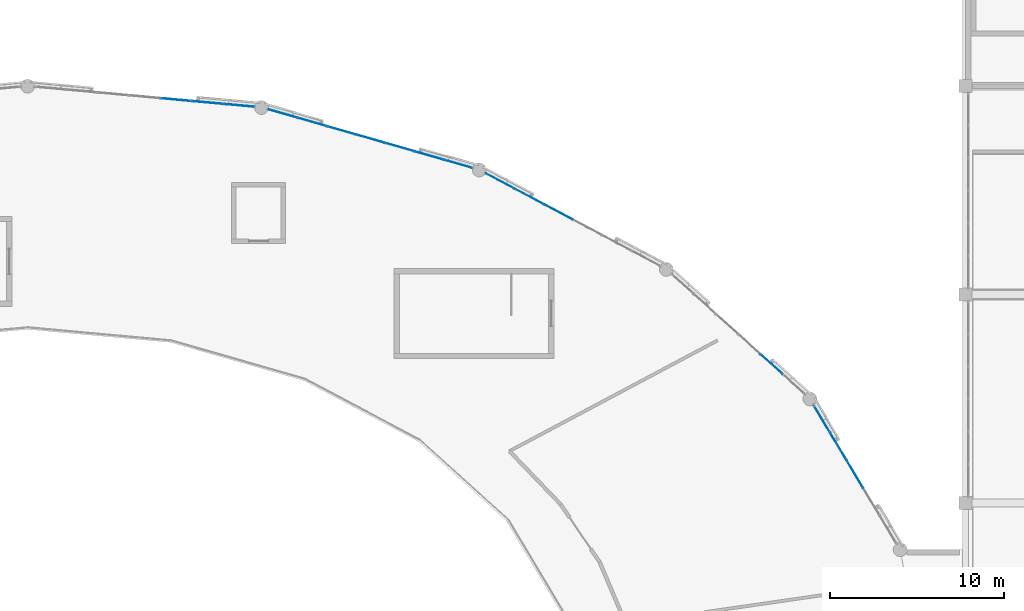
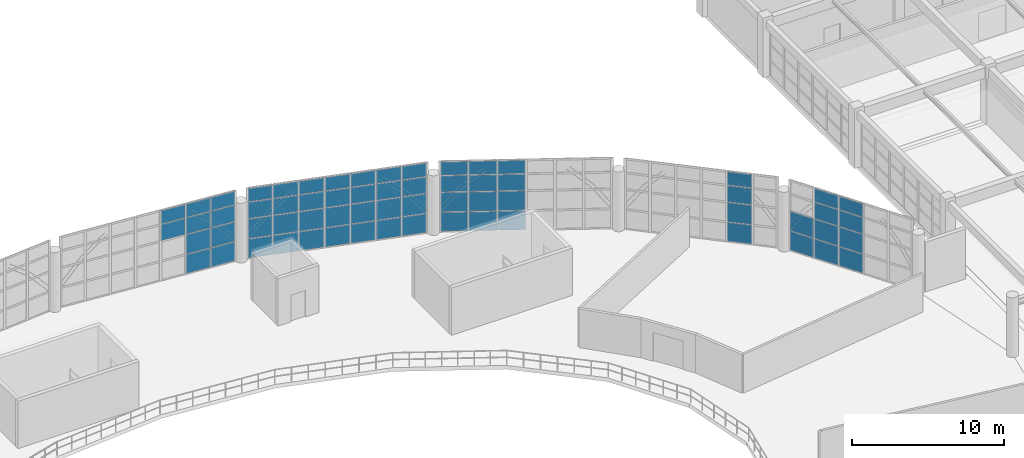
# One storey, part 72 of 109: 64 plates, 5 elements without a shape of their own.
"""IFC4 building model written with IfcOpenShell, lengths in metres."""

import ifcopenshell
import ifcopenshell.guid

model = None  # the IFC model being written
_history = None  # IfcOwnerHistory: only IFC2X3 demands one
_inside = {}  # id of a spatial element -> (the spatial element, [elements in it])
_under = {}  # id of a project, library or spatial element -> (it, [spatial elements below it])
_declared = {}  # id of a project -> (the project, [libraries it declares])
_typed = {}  # id of a type object -> (the type object, [elements of that type])
_made_of = {}  # id of a material, layer set ... -> (it, [elements and type objects made of it])


def new_model(schema):
    """Start an empty IFC model of exactly this schema.

    Asked for "IFC4X3", IfcOpenShell would pick the latest addendum, in which some entities
    have other attributes; the version numbers below select the first issue.
    IFC2X3 requires an IfcOwnerHistory on every rooted entity: one is made here for all.
    """
    global model, _history
    if schema == "IFC4X3":
        model = ifcopenshell.file(schema_version=(4, 3, 0, 0))
    else:
        model = ifcopenshell.file(schema=schema)
    _inside.clear()
    _under.clear()
    _declared.clear()
    _typed.clear()
    _made_of.clear()
    _history = None
    if model.schema == "IFC2X3":
        org = make("IfcOrganization", Name="unknown")
        user = make(
            "IfcPersonAndOrganization",
            ThePerson=make("IfcPerson", FamilyName="unknown"),
            TheOrganization=org,
        )
        app = make(
            "IfcApplication",
            ApplicationDeveloper=org,
            Version="unknown",
            ApplicationFullName="unknown",
            ApplicationIdentifier="unknown",
        )
        _history = make(
            "IfcOwnerHistory",
            OwningUser=user,
            OwningApplication=app,
            ChangeAction="ADDED",
            CreationDate=0,
        )
    return model


def make(cls, **values):
    """One entity of the class cls with the attributes given. An attribute that is None is left unset."""
    return model.create_entity(
        cls, **{name: value for name, value in values.items() if value is not None}
    )


def rooted(cls, **values):
    """An entity with a GlobalId (a new one), such as an element, a storey or a relation."""
    return make(cls, GlobalId=ifcopenshell.guid.new(), OwnerHistory=_history, **values)


def si_unit(unit_type, name, prefix=None):
    """IfcSIUnit, for example si_unit("LENGTHUNIT", "METRE", prefix="MILLI")."""
    return make("IfcSIUnit", UnitType=unit_type, Prefix=prefix, Name=name)


def assignment(units):
    """IfcUnitAssignment: the units of a project."""
    return None if units is None else make("IfcUnitAssignment", Units=units)


def point(xyz):
    """IfcCartesianPoint."""
    return None if xyz is None else make("IfcCartesianPoint", Coordinates=xyz)


def direction(xyz):
    """IfcDirection."""
    return None if xyz is None else make("IfcDirection", DirectionRatios=xyz)


def frame(location, z_axis=None, x_axis=None):
    """IfcAxis2Placement3D, a coordinate frame: its origin and axes. An axis left out is left unset."""
    return make(
        "IfcAxis2Placement3D",
        Location=point(location),
        Axis=direction(z_axis),
        RefDirection=direction(x_axis),
    )


def frame_2d(location, x_axis=None):
    """IfcAxis2Placement2D, a coordinate frame in the plane: its origin and x axis."""
    return make(
        "IfcAxis2Placement2D", Location=point(location), RefDirection=direction(x_axis)
    )


def origin():
    """The frame at (0, 0, 0) with its axes left unset."""
    return frame((0.0, 0.0, 0.0))


def origin_2d():
    """The frame at (0, 0) in the plane with its x axis left unset."""
    return frame_2d((0.0, 0.0))


def place(relative_to, where):
    """IfcLocalPlacement: puts the frame where relative to a parent placement (None: the world)."""
    return make(
        "IfcLocalPlacement", PlacementRelTo=relative_to, RelativePlacement=where
    )


def context(
    kind, dimensions, precision=None, world=None, true_north=None, identifier=None
):
    """IfcGeometricRepresentationContext, for example the 3D "Model" context."""
    return make(
        "IfcGeometricRepresentationContext",
        ContextIdentifier=identifier,
        ContextType=kind,
        CoordinateSpaceDimension=dimensions,
        Precision=precision,
        WorldCoordinateSystem=world,
        TrueNorth=true_north,
    )


def subcontext(parent, identifier, kind, view, scale=None):
    """IfcGeometricRepresentationSubContext, for example "Body" below "Model"."""
    return make(
        "IfcGeometricRepresentationSubContext",
        ContextIdentifier=identifier,
        ContextType=kind,
        ParentContext=parent,
        TargetScale=scale,
        TargetView=view,
    )


def project(units=None, contexts=None):
    """IfcProject with its units and contexts."""
    return rooted(
        "IfcProject",
        Name="project",
        RepresentationContexts=contexts,
        UnitsInContext=assignment(units),
    )


def spatial(cls, under=None, at=None, **own):
    """A site, building, storey or space (cls), placed at a placement, below another one or the project."""
    s = rooted(cls, ObjectPlacement=at, **own)
    if under is not None:
        _under.setdefault(under.id(), (under, []))[1].append(s)
    return s


def profile(cls, at=None, kind="AREA", **sizes):
    """A parametric profile (cls). Its sizes go by their IFC names, for example OverallWidth=200.0."""
    return make(cls, ProfileType=kind, Position=at, **sizes)


def rectangle(**sizes):
    """IfcRectangleProfileDef."""
    return profile("IfcRectangleProfileDef", **sizes)


def extrude(swept, where, along, depth):
    """IfcExtrudedAreaSolid: the profile swept, set in the frame where, extruded along a direction by depth."""
    return make(
        "IfcExtrudedAreaSolid",
        SweptArea=swept,
        Position=where,
        ExtrudedDirection=direction(along),
        Depth=depth,
    )


def shape(context_of_items, identifier, shape_type, items):
    """IfcShapeRepresentation: the items that make up one representation, for example the "Body"."""
    return make(
        "IfcShapeRepresentation",
        ContextOfItems=context_of_items,
        RepresentationIdentifier=identifier,
        RepresentationType=shape_type,
        Items=items,
    )


def material(Name=None, Category=None):
    """IfcMaterial."""
    return make("IfcMaterial", Name=Name, Category=Category)


def layer(
    of_material, thickness, ventilated=None, Name=None, Category=None, Priority=None
):
    """IfcMaterialLayer: one layer of a wall or slab, of a material (None: an air gap)."""
    return make(
        "IfcMaterialLayer",
        Material=of_material,
        LayerThickness=thickness,
        IsVentilated=ventilated,
        Name=Name,
        Category=Category,
        Priority=Priority,
    )


def layer_set(layers, Name=None):
    """IfcMaterialLayerSet."""
    return make("IfcMaterialLayerSet", MaterialLayers=layers, LayerSetName=Name)


def made_of(thing, what):
    """Note that an element or type object is made of a material, layer set ...; save() writes the relation."""
    if what is not None:
        _made_of.setdefault(what.id(), (what, []))[1].append(thing)
    return thing


def type_object(cls, material=None, **own):
    """A type object (cls), such as IfcWallType, which elements share."""
    return made_of(rooted(cls, **own), material)


def element(
    cls,
    number,
    at=None,
    inside=None,
    cuts=None,
    type_object=None,
    material=None,
    context=None,
    identifier="Body",
    shape_type=None,
    held_by="IfcProductDefinitionShape",
    body=None,
    shapes=None,
    **own,
):
    """One element of the class cls, such as IfcWall. Its Tag is "e" and its number.

    at: its placement. inside: the storey or other place that contains it. cuts: it is an
    opening in that element (IfcRelVoidsElement). A single representation is given by context,
    identifier, shape_type and body (its items); several are given by shapes. held_by: the class
    of the entity that holds the representations. save() writes the other relations.
    """
    e = rooted(cls, Tag="e%d" % number, ObjectPlacement=at, **own)
    if body is not None:
        shapes = [shape(context, identifier, shape_type, body)]
    if shapes is not None:
        e.Representation = make(held_by, Representations=shapes)
    if inside is not None:
        _inside.setdefault(inside.id(), (inside, []))[1].append(e)
    if cuts is not None:
        rooted(
            "IfcRelVoidsElement", RelatingBuildingElement=cuts, RelatedOpeningElement=e
        )
    if type_object is not None:
        _typed.setdefault(type_object.id(), (type_object, []))[1].append(e)
    return made_of(e, material)


def aggregate(whole, parts):
    """IfcRelAggregates: a whole, such as a stair, and the parts it consists of."""
    return rooted("IfcRelAggregates", RelatingObject=whole, RelatedObjects=parts)


def save(model, path):
    """Write the relations noted so far, then the file.

    IfcRelAggregates (storeys below a building ...), IfcRelContainedInSpatialStructure (elements
    in a storey), IfcRelDefinesByType, IfcRelAssociatesMaterial and IfcRelDeclares: one each for
    every whole, place, type object, material and project.
    """
    for whole, parts in _under.values():
        aggregate(whole, parts)
    for where, things in _inside.values():
        rooted(
            "IfcRelContainedInSpatialStructure",
            RelatedElements=things,
            RelatingStructure=where,
        )
    for kind, things in _typed.values():
        rooted("IfcRelDefinesByType", RelatedObjects=things, RelatingType=kind)
    for what, things in _made_of.values():
        rooted("IfcRelAssociatesMaterial", RelatedObjects=things, RelatingMaterial=what)
    for by, libraries in _declared.values():
        rooted("IfcRelDeclares", RelatingContext=by, RelatedDefinitions=libraries)
    model.write(path)


model = new_model("IFC4")

# Units and contexts
model_context = context("Model", 3, precision=1e-05, world=origin(), true_north=direction((0.0, 1.0)))
body_context = subcontext(model_context, "Body", "Model", "MODEL_VIEW")
ifc_project = project(units=[si_unit("LENGTHUNIT", "METRE"), si_unit("AREAUNIT", "SQUARE_METRE"), si_unit("VOLUMEUNIT", "CUBIC_METRE"), si_unit("PLANEANGLEUNIT", "RADIAN"), si_unit("MASSUNIT", "GRAM", prefix="KILO")], contexts=[model_context])

# Site, building, storey
site_placement = place(None, origin())
site = spatial("IfcSite", under=ifc_project, at=site_placement, CompositionType="ELEMENT")
building_placement = place(site_placement, origin())
building = spatial("IfcBuilding", under=site, at=building_placement, Name="Kivolera Central Railway Station", CompositionType="ELEMENT")
storey_placement = place(building_placement, frame((0.0, 0.0, 9.60009765625)))
storey = spatial("IfcBuildingStorey", under=building, at=storey_placement, Name="L02", CompositionType="ELEMENT", Elevation=9.60009765625)

# Curtain wall, plates
ifc_material_1 = material(Name="Anodised aluminium", Category="aluminium")
ifc_layer_1 = layer(ifc_material_1, 0.179931640625, Name="Anodised aluminium")
ifc_layer_set_1 = layer_set([ifc_layer_1], Name="Anodised aluminium")
curtain_wall_type_1 = type_object("IfcCurtainWallType", Name="CW-SYS-09", PredefinedType="NOTDEFINED", material=ifc_layer_set_1)
curtain_wall_1_placement = place(storey_placement, origin())
curtain_wall_1 = element("IfcCurtainWall", 1, at=curtain_wall_1_placement, inside=storey, type_object=curtain_wall_type_1, Name="L02 Curtain Wall CW-L02-OVL-03", PredefinedType="NOTDEFINED")
ifc_material_2 = material(Name="Double low-E laminated glass", Category="glass")
ifc_layer_2 = layer(ifc_material_2, 0.02587890625, Name="Double low-E laminated glass")
ifc_layer_set_2 = layer_set([ifc_layer_2], Name="Double low-E laminated glass")
plate_type_1 = type_object("IfcPlateType", Name="CWP-GLZ-1", PredefinedType="CURTAIN_PANEL", material=ifc_layer_set_2)
plate_1_placement = place(storey_placement, frame((91.20703125, 120.535400390625, 0.057861328125), z_axis=(0.0, 0.0, 1.0), x_axis=(0.883170250772, -0.46905256438, 0.0)))
plate_1 = element("IfcPlate", 2, at=plate_1_placement, type_object=plate_type_1, Name="CW-09 panel 1.1", PredefinedType="CURTAIN_PANEL", context=body_context, shape_type="SweptSolid", body=[
    extrude(rectangle(XDim=1.818115234375, YDim=0.02587890625, at=origin_2d()), origin(), (0.0, 0.0, 1.0), 1.51904296875),
])
plate_2_placement = place(storey_placement, frame((91.20703125, 120.535400390625, 1.623046875), z_axis=(0.0, 0.0, 1.0), x_axis=(0.883170250772, -0.46905256438, 0.0)))
plate_2 = element("IfcPlate", 3, at=plate_2_placement, type_object=plate_type_1, Name="CW-09 panel 1.2", PredefinedType="CURTAIN_PANEL", context=body_context, shape_type="SweptSolid", body=[
    extrude(rectangle(XDim=1.818115234375, YDim=0.02587890625, at=origin_2d()), origin(), (0.0, 0.0, 1.0), 1.553955078125),
])
plate_3_placement = place(storey_placement, frame((91.20703125, 120.535400390625, 3.22314453125), z_axis=(0.0, 0.0, 1.0), x_axis=(0.883170250772, -0.46905256438, 0.0)))
plate_3 = element("IfcPlate", 4, at=plate_3_placement, type_object=plate_type_1, Name="CW-09 panel 1.3", PredefinedType="CURTAIN_PANEL", context=body_context, shape_type="SweptSolid", body=[
    extrude(rectangle(XDim=1.818115234375, YDim=0.02587890625, at=origin_2d()), origin(), (0.0, 0.0, 1.0), 1.303955078125),
])
plate_4_placement = place(storey_placement, frame((91.20703125, 120.535400390625, 4.57275390625), z_axis=(0.0, 0.0, 1.0), x_axis=(0.883170250772, -0.46905256438, 0.0)))
plate_4 = element("IfcPlate", 5, at=plate_4_placement, type_object=plate_type_1, Name="CW-09 panel 1.4", PredefinedType="CURTAIN_PANEL", context=body_context, shape_type="SweptSolid", body=[
    extrude(rectangle(XDim=1.818115234375, YDim=0.02587890625, at=origin_2d()), origin(), (0.0, 0.0, 1.0), 1.069091796875),
])
plate_5_placement = place(storey_placement, frame((92.868896484375, 119.65283203125, 0.057861328125), z_axis=(0.0, 0.0, 1.0), x_axis=(0.883170250772, -0.46905256438, 0.0)))
plate_5 = element("IfcPlate", 6, at=plate_5_placement, type_object=plate_type_1, Name="CW-09 panel 2.1", PredefinedType="CURTAIN_PANEL", context=body_context, shape_type="SweptSolid", body=[
    extrude(rectangle(XDim=1.853271484375, YDim=0.02587890625, at=origin_2d()), origin(), (0.0, 0.0, 1.0), 1.51904296875),
])
plate_6_placement = place(storey_placement, frame((92.868896484375, 119.65283203125, 1.623046875), z_axis=(0.0, 0.0, 1.0), x_axis=(0.883170250772, -0.46905256438, 0.0)))
plate_6 = element("IfcPlate", 7, at=plate_6_placement, type_object=plate_type_1, Name="CW-09 panel 2.2", PredefinedType="CURTAIN_PANEL", context=body_context, shape_type="SweptSolid", body=[
    extrude(rectangle(XDim=1.853271484375, YDim=0.02587890625, at=origin_2d()), origin(), (0.0, 0.0, 1.0), 1.553955078125),
])
plate_7_placement = place(storey_placement, frame((92.868896484375, 119.65283203125, 3.22314453125), z_axis=(0.0, 0.0, 1.0), x_axis=(0.883170250772, -0.46905256438, 0.0)))
plate_7 = element("IfcPlate", 8, at=plate_7_placement, type_object=plate_type_1, Name="CW-09 panel 2.3", PredefinedType="CURTAIN_PANEL", context=body_context, shape_type="SweptSolid", body=[
    extrude(rectangle(XDim=1.853271484375, YDim=0.02587890625, at=origin_2d()), origin(), (0.0, 0.0, 1.0), 1.303955078125),
])
plate_8_placement = place(storey_placement, frame((92.868896484375, 119.65283203125, 4.57275390625), z_axis=(0.0, 0.0, 1.0), x_axis=(0.883170250772, -0.46905256438, 0.0)))
plate_8 = element("IfcPlate", 9, at=plate_8_placement, type_object=plate_type_1, Name="CW-09 panel 2.4", PredefinedType="CURTAIN_PANEL", context=body_context, shape_type="SweptSolid", body=[
    extrude(rectangle(XDim=1.853271484375, YDim=0.02587890625, at=origin_2d()), origin(), (0.0, 0.0, 1.0), 1.069091796875),
])
plate_9_placement = place(storey_placement, frame((94.54638671875, 118.761962890625, 0.057861328125), z_axis=(0.0, 0.0, 1.0), x_axis=(0.883170250772, -0.46905256438, 0.0)))
plate_9 = element("IfcPlate", 10, at=plate_9_placement, type_object=plate_type_1, Name="CW-09 panel 3.1", PredefinedType="CURTAIN_PANEL", context=body_context, shape_type="SweptSolid", body=[
    extrude(rectangle(XDim=1.853271484375, YDim=0.02587890625, at=origin_2d()), origin(), (0.0, 0.0, 1.0), 1.51904296875),
])
plate_10_placement = place(storey_placement, frame((94.54638671875, 118.761962890625, 1.623046875), z_axis=(0.0, 0.0, 1.0), x_axis=(0.883170250772, -0.46905256438, 0.0)))
plate_10 = element("IfcPlate", 11, at=plate_10_placement, type_object=plate_type_1, Name="CW-09 panel 3.2", PredefinedType="CURTAIN_PANEL", context=body_context, shape_type="SweptSolid", body=[
    extrude(rectangle(XDim=1.853271484375, YDim=0.02587890625, at=origin_2d()), origin(), (0.0, 0.0, 1.0), 1.553955078125),
])
plate_11_placement = place(storey_placement, frame((94.54638671875, 118.761962890625, 3.22314453125), z_axis=(0.0, 0.0, 1.0), x_axis=(0.883170250772, -0.46905256438, 0.0)))
plate_11 = element("IfcPlate", 12, at=plate_11_placement, type_object=plate_type_1, Name="CW-09 panel 3.3", PredefinedType="CURTAIN_PANEL", context=body_context, shape_type="SweptSolid", body=[
    extrude(rectangle(XDim=1.853271484375, YDim=0.02587890625, at=origin_2d()), origin(), (0.0, 0.0, 1.0), 1.303955078125),
])
plate_12_placement = place(storey_placement, frame((94.54638671875, 118.761962890625, 4.57275390625), z_axis=(0.0, 0.0, 1.0), x_axis=(0.883170250772, -0.46905256438, 0.0)))
plate_12 = element("IfcPlate", 13, at=plate_12_placement, type_object=plate_type_1, Name="CW-09 panel 3.4", PredefinedType="CURTAIN_PANEL", context=body_context, shape_type="SweptSolid", body=[
    extrude(rectangle(XDim=1.853271484375, YDim=0.02587890625, at=origin_2d()), origin(), (0.0, 0.0, 1.0), 1.069091796875),
])
aggregate(curtain_wall_1, [plate_1, plate_2, plate_3, plate_4, plate_5, plate_6, plate_7, plate_8, plate_9, plate_10, plate_11, plate_12])

ifc_layer_3 = layer(ifc_material_1, 0.179931640625, Name="Anodised aluminium")
ifc_layer_set_3 = layer_set([ifc_layer_3], Name="Anodised aluminium")
curtain_wall_type_2 = type_object("IfcCurtainWallType", Name="CW-SYS-11", PredefinedType="NOTDEFINED", material=ifc_layer_set_3)
curtain_wall_2_placement = place(storey_placement, origin())
curtain_wall_2 = element("IfcCurtainWall", 14, at=curtain_wall_2_placement, inside=storey, type_object=curtain_wall_type_2, Name="L02 Curtain Wall CW-L02-OVL-04", PredefinedType="NOTDEFINED")
ifc_layer_4 = layer(ifc_material_2, 0.030029296875, Name="Double low-E laminated glass")
ifc_layer_set_4 = layer_set([ifc_layer_4], Name="Double low-E laminated glass")
plate_type_2 = type_object("IfcPlateType", Name="CWP-GLZ-2", PredefinedType="CURTAIN_PANEL", material=ifc_layer_set_4)
plate_13_placement = place(storey_placement, frame((78.70166015625, 124.4169921875, 0.057861328125), z_axis=(0.0, 0.0, 1.0), x_axis=(0.961246112288, -0.275691696668, 0.0)))
plate_13 = element("IfcPlate", 15, at=plate_13_placement, type_object=plate_type_2, Name="CW-11 panel 1.1", PredefinedType="CURTAIN_PANEL", context=body_context, shape_type="SweptSolid", body=[
    extrude(rectangle(XDim=1.66845703125, YDim=0.030029296875, at=origin_2d()), origin(), (0.0, 0.0, 1.0), 1.51904296875),
])
plate_14_placement = place(storey_placement, frame((78.70166015625, 124.4169921875, 1.623046875), z_axis=(0.0, 0.0, 1.0), x_axis=(0.961246112288, -0.275691696668, 0.0)))
plate_14 = element("IfcPlate", 16, at=plate_14_placement, type_object=plate_type_2, Name="CW-11 panel 1.2", PredefinedType="CURTAIN_PANEL", context=body_context, shape_type="SweptSolid", body=[
    extrude(rectangle(XDim=1.66845703125, YDim=0.030029296875, at=origin_2d()), origin(), (0.0, 0.0, 1.0), 1.553955078125),
])
plate_15_placement = place(storey_placement, frame((78.70166015625, 124.4169921875, 3.22314453125), z_axis=(0.0, 0.0, 1.0), x_axis=(0.961246112288, -0.275691696668, 0.0)))
plate_15 = element("IfcPlate", 17, at=plate_15_placement, type_object=plate_type_2, Name="CW-11 panel 1.3", PredefinedType="CURTAIN_PANEL", context=body_context, shape_type="SweptSolid", body=[
    extrude(rectangle(XDim=1.66845703125, YDim=0.030029296875, at=origin_2d()), origin(), (0.0, 0.0, 1.0), 1.303955078125),
])
plate_16_placement = place(storey_placement, frame((78.70166015625, 124.4169921875, 4.57275390625), z_axis=(0.0, 0.0, 1.0), x_axis=(0.961246112288, -0.275691696668, 0.0)))
plate_16 = element("IfcPlate", 18, at=plate_16_placement, type_object=plate_type_2, Name="CW-11 panel 1.4", PredefinedType="CURTAIN_PANEL", context=body_context, shape_type="SweptSolid", body=[
    extrude(rectangle(XDim=1.66845703125, YDim=0.030029296875, at=origin_2d()), origin(), (0.0, 0.0, 1.0), 1.069091796875),
])
plate_17_placement = place(storey_placement, frame((80.366455078125, 123.939453125, 0.057861328125), z_axis=(0.0, 0.0, 1.0), x_axis=(0.961246112288, -0.275691696668, 0.0)))
plate_17 = element("IfcPlate", 19, at=plate_17_placement, type_object=plate_type_2, Name="CW-11 panel 2.1", PredefinedType="CURTAIN_PANEL", context=body_context, shape_type="SweptSolid", body=[
    extrude(rectangle(XDim=1.703369140625, YDim=0.030029296875, at=origin_2d()), origin(), (0.0, 0.0, 1.0), 1.51904296875),
])
plate_18_placement = place(storey_placement, frame((80.366455078125, 123.939453125, 1.623046875), z_axis=(0.0, 0.0, 1.0), x_axis=(0.961246112288, -0.275691696668, 0.0)))
plate_18 = element("IfcPlate", 20, at=plate_18_placement, type_object=plate_type_2, Name="CW-11 panel 2.2", PredefinedType="CURTAIN_PANEL", context=body_context, shape_type="SweptSolid", body=[
    extrude(rectangle(XDim=1.703369140625, YDim=0.030029296875, at=origin_2d()), origin(), (0.0, 0.0, 1.0), 1.553955078125),
])
plate_19_placement = place(storey_placement, frame((80.366455078125, 123.939453125, 3.22314453125), z_axis=(0.0, 0.0, 1.0), x_axis=(0.961246112288, -0.275691696668, 0.0)))
plate_19 = element("IfcPlate", 21, at=plate_19_placement, type_object=plate_type_2, Name="CW-11 panel 2.3", PredefinedType="CURTAIN_PANEL", context=body_context, shape_type="SweptSolid", body=[
    extrude(rectangle(XDim=1.703369140625, YDim=0.030029296875, at=origin_2d()), origin(), (0.0, 0.0, 1.0), 1.303955078125),
])
plate_20_placement = place(storey_placement, frame((80.366455078125, 123.939453125, 4.57275390625), z_axis=(0.0, 0.0, 1.0), x_axis=(0.961246112288, -0.275691696668, 0.0)))
plate_20 = element("IfcPlate", 22, at=plate_20_placement, type_object=plate_type_2, Name="CW-11 panel 2.4", PredefinedType="CURTAIN_PANEL", context=body_context, shape_type="SweptSolid", body=[
    extrude(rectangle(XDim=1.703369140625, YDim=0.030029296875, at=origin_2d()), origin(), (0.0, 0.0, 1.0), 1.069091796875),
])
plate_21_placement = place(storey_placement, frame((82.0478515625, 123.457275390625, 0.057861328125), z_axis=(0.0, 0.0, 1.0), x_axis=(0.961246112288, -0.275691696668, 0.0)))
plate_21 = element("IfcPlate", 23, at=plate_21_placement, type_object=plate_type_2, Name="CW-11 panel 3.1", PredefinedType="CURTAIN_PANEL", context=body_context, shape_type="SweptSolid", body=[
    extrude(rectangle(XDim=1.703369140625, YDim=0.030029296875, at=origin_2d()), origin(), (0.0, 0.0, 1.0), 1.51904296875),
])
plate_22_placement = place(storey_placement, frame((82.0478515625, 123.457275390625, 1.623046875), z_axis=(0.0, 0.0, 1.0), x_axis=(0.961246112288, -0.275691696668, 0.0)))
plate_22 = element("IfcPlate", 24, at=plate_22_placement, type_object=plate_type_2, Name="CW-11 panel 3.2", PredefinedType="CURTAIN_PANEL", context=body_context, shape_type="SweptSolid", body=[
    extrude(rectangle(XDim=1.703369140625, YDim=0.030029296875, at=origin_2d()), origin(), (0.0, 0.0, 1.0), 1.553955078125),
])
plate_23_placement = place(storey_placement, frame((82.0478515625, 123.457275390625, 3.22314453125), z_axis=(0.0, 0.0, 1.0), x_axis=(0.961246112288, -0.275691696668, 0.0)))
plate_23 = element("IfcPlate", 25, at=plate_23_placement, type_object=plate_type_2, Name="CW-11 panel 3.3", PredefinedType="CURTAIN_PANEL", context=body_context, shape_type="SweptSolid", body=[
    extrude(rectangle(XDim=1.703369140625, YDim=0.030029296875, at=origin_2d()), origin(), (0.0, 0.0, 1.0), 1.303955078125),
])
plate_24_placement = place(storey_placement, frame((82.0478515625, 123.457275390625, 4.57275390625), z_axis=(0.0, 0.0, 1.0), x_axis=(0.961246112288, -0.275691696668, 0.0)))
plate_24 = element("IfcPlate", 26, at=plate_24_placement, type_object=plate_type_2, Name="CW-11 panel 3.4", PredefinedType="CURTAIN_PANEL", context=body_context, shape_type="SweptSolid", body=[
    extrude(rectangle(XDim=1.703369140625, YDim=0.030029296875, at=origin_2d()), origin(), (0.0, 0.0, 1.0), 1.069091796875),
])
plate_25_placement = place(storey_placement, frame((83.7294921875, 122.97509765625, 0.057861328125), z_axis=(0.0, 0.0, 1.0), x_axis=(0.961246112288, -0.275691696668, 0.0)))
plate_25 = element("IfcPlate", 27, at=plate_25_placement, type_object=plate_type_2, Name="CW-11 panel 4.1", PredefinedType="CURTAIN_PANEL", context=body_context, shape_type="SweptSolid", body=[
    extrude(rectangle(XDim=1.703369140625, YDim=0.030029296875, at=origin_2d()), origin(), (0.0, 0.0, 1.0), 1.51904296875),
])
plate_26_placement = place(storey_placement, frame((83.7294921875, 122.97509765625, 1.623046875), z_axis=(0.0, 0.0, 1.0), x_axis=(0.961246112288, -0.275691696668, 0.0)))
plate_26 = element("IfcPlate", 28, at=plate_26_placement, type_object=plate_type_2, Name="CW-11 panel 4.2", PredefinedType="CURTAIN_PANEL", context=body_context, shape_type="SweptSolid", body=[
    extrude(rectangle(XDim=1.703369140625, YDim=0.030029296875, at=origin_2d()), origin(), (0.0, 0.0, 1.0), 1.553955078125),
])
plate_27_placement = place(storey_placement, frame((83.7294921875, 122.97509765625, 3.22314453125), z_axis=(0.0, 0.0, 1.0), x_axis=(0.961246112288, -0.275691696668, 0.0)))
plate_27 = element("IfcPlate", 29, at=plate_27_placement, type_object=plate_type_2, Name="CW-11 panel 4.3", PredefinedType="CURTAIN_PANEL", context=body_context, shape_type="SweptSolid", body=[
    extrude(rectangle(XDim=1.703369140625, YDim=0.030029296875, at=origin_2d()), origin(), (0.0, 0.0, 1.0), 1.303955078125),
])
plate_28_placement = place(storey_placement, frame((83.7294921875, 122.97509765625, 4.57275390625), z_axis=(0.0, 0.0, 1.0), x_axis=(0.961246112288, -0.275691696668, 0.0)))
plate_28 = element("IfcPlate", 30, at=plate_28_placement, type_object=plate_type_2, Name="CW-11 panel 4.4", PredefinedType="CURTAIN_PANEL", context=body_context, shape_type="SweptSolid", body=[
    extrude(rectangle(XDim=1.703369140625, YDim=0.030029296875, at=origin_2d()), origin(), (0.0, 0.0, 1.0), 1.069091796875),
])
plate_29_placement = place(storey_placement, frame((85.4111328125, 122.49267578125, 0.057861328125), z_axis=(0.0, 0.0, 1.0), x_axis=(0.961246112288, -0.275691696668, 0.0)))
plate_29 = element("IfcPlate", 31, at=plate_29_placement, type_object=plate_type_2, Name="CW-11 panel 5.1", PredefinedType="CURTAIN_PANEL", context=body_context, shape_type="SweptSolid", body=[
    extrude(rectangle(XDim=1.703369140625, YDim=0.030029296875, at=origin_2d()), origin(), (0.0, 0.0, 1.0), 1.51904296875),
])
plate_30_placement = place(storey_placement, frame((85.4111328125, 122.49267578125, 1.623046875), z_axis=(0.0, 0.0, 1.0), x_axis=(0.961246112288, -0.275691696668, 0.0)))
plate_30 = element("IfcPlate", 32, at=plate_30_placement, type_object=plate_type_2, Name="CW-11 panel 5.2", PredefinedType="CURTAIN_PANEL", context=body_context, shape_type="SweptSolid", body=[
    extrude(rectangle(XDim=1.703369140625, YDim=0.030029296875, at=origin_2d()), origin(), (0.0, 0.0, 1.0), 1.553955078125),
])
plate_31_placement = place(storey_placement, frame((85.4111328125, 122.49267578125, 3.22314453125), z_axis=(0.0, 0.0, 1.0), x_axis=(0.961246112288, -0.275691696668, 0.0)))
plate_31 = element("IfcPlate", 33, at=plate_31_placement, type_object=plate_type_2, Name="CW-11 panel 5.3", PredefinedType="CURTAIN_PANEL", context=body_context, shape_type="SweptSolid", body=[
    extrude(rectangle(XDim=1.703369140625, YDim=0.030029296875, at=origin_2d()), origin(), (0.0, 0.0, 1.0), 1.303955078125),
])
plate_32_placement = place(storey_placement, frame((85.4111328125, 122.49267578125, 4.57275390625), z_axis=(0.0, 0.0, 1.0), x_axis=(0.961246112288, -0.275691696668, 0.0)))
plate_32 = element("IfcPlate", 34, at=plate_32_placement, type_object=plate_type_2, Name="CW-11 panel 5.4", PredefinedType="CURTAIN_PANEL", context=body_context, shape_type="SweptSolid", body=[
    extrude(rectangle(XDim=1.703369140625, YDim=0.030029296875, at=origin_2d()), origin(), (0.0, 0.0, 1.0), 1.069091796875),
])
plate_33_placement = place(storey_placement, frame((87.092529296875, 122.010498046875, 0.057861328125), z_axis=(0.0, 0.0, 1.0), x_axis=(0.961246112288, -0.275691696668, 0.0)))
plate_33 = element("IfcPlate", 35, at=plate_33_placement, type_object=plate_type_2, Name="CW-11 panel 6.1", PredefinedType="CURTAIN_PANEL", context=body_context, shape_type="SweptSolid", body=[
    extrude(rectangle(XDim=1.703369140625, YDim=0.030029296875, at=origin_2d()), origin(), (0.0, 0.0, 1.0), 1.51904296875),
])
plate_34_placement = place(storey_placement, frame((87.092529296875, 122.010498046875, 1.623046875), z_axis=(0.0, 0.0, 1.0), x_axis=(0.961246112288, -0.275691696668, 0.0)))
plate_34 = element("IfcPlate", 36, at=plate_34_placement, type_object=plate_type_2, Name="CW-11 panel 6.2", PredefinedType="CURTAIN_PANEL", context=body_context, shape_type="SweptSolid", body=[
    extrude(rectangle(XDim=1.703369140625, YDim=0.030029296875, at=origin_2d()), origin(), (0.0, 0.0, 1.0), 1.553955078125),
])
plate_35_placement = place(storey_placement, frame((87.092529296875, 122.010498046875, 3.22314453125), z_axis=(0.0, 0.0, 1.0), x_axis=(0.961246112288, -0.275691696668, 0.0)))
plate_35 = element("IfcPlate", 37, at=plate_35_placement, type_object=plate_type_2, Name="CW-11 panel 6.3", PredefinedType="CURTAIN_PANEL", context=body_context, shape_type="SweptSolid", body=[
    extrude(rectangle(XDim=1.703369140625, YDim=0.030029296875, at=origin_2d()), origin(), (0.0, 0.0, 1.0), 1.303955078125),
])
plate_36_placement = place(storey_placement, frame((87.092529296875, 122.010498046875, 4.57275390625), z_axis=(0.0, 0.0, 1.0), x_axis=(0.961246112288, -0.275691696668, 0.0)))
plate_36 = element("IfcPlate", 38, at=plate_36_placement, type_object=plate_type_2, Name="CW-11 panel 6.4", PredefinedType="CURTAIN_PANEL", context=body_context, shape_type="SweptSolid", body=[
    extrude(rectangle(XDim=1.703369140625, YDim=0.030029296875, at=origin_2d()), origin(), (0.0, 0.0, 1.0), 1.069091796875),
])
plate_37_placement = place(storey_placement, frame((88.75732421875, 121.532958984375, 0.057861328125), z_axis=(0.0, 0.0, 1.0), x_axis=(0.961246112288, -0.275691696668, 0.0)))
plate_37 = element("IfcPlate", 39, at=plate_37_placement, type_object=plate_type_2, Name="CW-11 panel 7.1", PredefinedType="CURTAIN_PANEL", context=body_context, shape_type="SweptSolid", body=[
    extrude(rectangle(XDim=1.66845703125, YDim=0.030029296875, at=origin_2d()), origin(), (0.0, 0.0, 1.0), 1.51904296875),
])
plate_38_placement = place(storey_placement, frame((88.75732421875, 121.532958984375, 1.623046875), z_axis=(0.0, 0.0, 1.0), x_axis=(0.961246112288, -0.275691696668, 0.0)))
plate_38 = element("IfcPlate", 40, at=plate_38_placement, type_object=plate_type_2, Name="CW-11 panel 7.2", PredefinedType="CURTAIN_PANEL", context=body_context, shape_type="SweptSolid", body=[
    extrude(rectangle(XDim=1.66845703125, YDim=0.030029296875, at=origin_2d()), origin(), (0.0, 0.0, 1.0), 1.553955078125),
])
plate_39_placement = place(storey_placement, frame((88.75732421875, 121.532958984375, 3.22314453125), z_axis=(0.0, 0.0, 1.0), x_axis=(0.961246112288, -0.275691696668, 0.0)))
plate_39 = element("IfcPlate", 41, at=plate_39_placement, type_object=plate_type_2, Name="CW-11 panel 7.3", PredefinedType="CURTAIN_PANEL", context=body_context, shape_type="SweptSolid", body=[
    extrude(rectangle(XDim=1.66845703125, YDim=0.030029296875, at=origin_2d()), origin(), (0.0, 0.0, 1.0), 1.303955078125),
])
plate_40_placement = place(storey_placement, frame((88.75732421875, 121.532958984375, 4.57275390625), z_axis=(0.0, 0.0, 1.0), x_axis=(0.961246112288, -0.275691696668, 0.0)))
plate_40 = element("IfcPlate", 42, at=plate_40_placement, type_object=plate_type_2, Name="CW-11 panel 7.4", PredefinedType="CURTAIN_PANEL", context=body_context, shape_type="SweptSolid", body=[
    extrude(rectangle(XDim=1.66845703125, YDim=0.030029296875, at=origin_2d()), origin(), (0.0, 0.0, 1.0), 1.069091796875),
])
aggregate(curtain_wall_2, [plate_13, plate_14, plate_15, plate_16, plate_17, plate_18, plate_19, plate_20, plate_21, plate_22, plate_23, plate_24, plate_25, plate_26, plate_27, plate_28, plate_29, plate_30, plate_31, plate_32, plate_33, plate_34, plate_35, plate_36, plate_37, plate_38, plate_39, plate_40])

ifc_layer_5 = layer(ifc_material_1, 0.179931640625, Name="Anodised aluminium")
ifc_layer_set_5 = layer_set([ifc_layer_5], Name="Anodised aluminium")
curtain_wall_type_3 = type_object("IfcCurtainWallType", Name="CW-SYS-13", PredefinedType="NOTDEFINED", material=ifc_layer_set_5)
curtain_wall_3_placement = place(storey_placement, origin())
curtain_wall_3 = element("IfcCurtainWall", 43, at=curtain_wall_3_placement, inside=storey, type_object=curtain_wall_type_3, Name="L02 Curtain Wall CW-L02-OVL-05", PredefinedType="NOTDEFINED")
ifc_layer_6 = layer(ifc_material_2, 0.033935546875, Name="Double low-E laminated glass")
ifc_layer_set_6 = layer_set([ifc_layer_6], Name="Double low-E laminated glass")
plate_type_3 = type_object("IfcPlateType", Name="CWP-GLZ-3", PredefinedType="CURTAIN_PANEL", material=ifc_layer_set_6)
plate_41_placement = place(storey_placement, frame((72.53857421875, 125.221435546875, 3.22314453125), z_axis=(0.0, 0.0, 1.0), x_axis=(0.995866087555, -0.090833560193, 0.0)))
plate_41 = element("IfcPlate", 44, at=plate_41_placement, type_object=plate_type_3, Name="CW-13 panel 5.3", PredefinedType="CURTAIN_PANEL", context=body_context, shape_type="SweptSolid", body=[
    extrude(rectangle(XDim=1.7705078125, YDim=0.033935546875, at=origin_2d()), origin(), (0.0, 0.0, 1.0), 1.303955078125),
])
plate_42_placement = place(storey_placement, frame((72.53857421875, 125.221435546875, 4.57275390625), z_axis=(0.0, 0.0, 1.0), x_axis=(0.995866087555, -0.090833560193, 0.0)))
plate_42 = element("IfcPlate", 45, at=plate_42_placement, type_object=plate_type_3, Name="CW-13 panel 5.4", PredefinedType="CURTAIN_PANEL", context=body_context, shape_type="SweptSolid", body=[
    extrude(rectangle(XDim=1.7705078125, YDim=0.033935546875, at=origin_2d()), origin(), (0.0, 0.0, 1.0), 1.069091796875),
])
plate_43_placement = place(storey_placement, frame((74.347412109375, 125.056396484375, 0.057861328125), z_axis=(0.0, 0.0, 1.0), x_axis=(0.995866087555, -0.090833560193, 0.0)))
plate_43 = element("IfcPlate", 46, at=plate_43_placement, type_object=plate_type_3, Name="CW-13 panel 6.1", PredefinedType="CURTAIN_PANEL", context=body_context, shape_type="SweptSolid", body=[
    extrude(rectangle(XDim=1.7705078125, YDim=0.033935546875, at=origin_2d()), origin(), (0.0, 0.0, 1.0), 1.51904296875),
])
plate_44_placement = place(storey_placement, frame((74.347412109375, 125.056396484375, 1.623046875), z_axis=(0.0, 0.0, 1.0), x_axis=(0.995866087555, -0.090833560193, 0.0)))
plate_44 = element("IfcPlate", 47, at=plate_44_placement, type_object=plate_type_3, Name="CW-13 panel 6.2", PredefinedType="CURTAIN_PANEL", context=body_context, shape_type="SweptSolid", body=[
    extrude(rectangle(XDim=1.7705078125, YDim=0.033935546875, at=origin_2d()), origin(), (0.0, 0.0, 1.0), 1.553955078125),
])
plate_45_placement = place(storey_placement, frame((74.347412109375, 125.056396484375, 3.22314453125), z_axis=(0.0, 0.0, 1.0), x_axis=(0.995866087555, -0.090833560193, 0.0)))
plate_45 = element("IfcPlate", 48, at=plate_45_placement, type_object=plate_type_3, Name="CW-13 panel 6.3", PredefinedType="CURTAIN_PANEL", context=body_context, shape_type="SweptSolid", body=[
    extrude(rectangle(XDim=1.7705078125, YDim=0.033935546875, at=origin_2d()), origin(), (0.0, 0.0, 1.0), 1.303955078125),
])
plate_46_placement = place(storey_placement, frame((74.347412109375, 125.056396484375, 4.57275390625), z_axis=(0.0, 0.0, 1.0), x_axis=(0.995866087555, -0.090833560193, 0.0)))
plate_46 = element("IfcPlate", 49, at=plate_46_placement, type_object=plate_type_3, Name="CW-13 panel 6.4", PredefinedType="CURTAIN_PANEL", context=body_context, shape_type="SweptSolid", body=[
    extrude(rectangle(XDim=1.7705078125, YDim=0.033935546875, at=origin_2d()), origin(), (0.0, 0.0, 1.0), 1.069091796875),
])
plate_47_placement = place(storey_placement, frame((76.13916015625, 124.89306640625, 0.057861328125), z_axis=(0.0, 0.0, 1.0), x_axis=(0.995866087555, -0.090833560193, 0.0)))
plate_47 = element("IfcPlate", 50, at=plate_47_placement, type_object=plate_type_3, Name="CW-13 panel 7.1", PredefinedType="CURTAIN_PANEL", context=body_context, shape_type="SweptSolid", body=[
    extrude(rectangle(XDim=1.735595703125, YDim=0.033935546875, at=origin_2d()), origin(), (0.0, 0.0, 1.0), 1.51904296875),
])
plate_48_placement = place(storey_placement, frame((76.13916015625, 124.89306640625, 1.623046875), z_axis=(0.0, 0.0, 1.0), x_axis=(0.995866087555, -0.090833560193, 0.0)))
plate_48 = element("IfcPlate", 51, at=plate_48_placement, type_object=plate_type_3, Name="CW-13 panel 7.2", PredefinedType="CURTAIN_PANEL", context=body_context, shape_type="SweptSolid", body=[
    extrude(rectangle(XDim=1.735595703125, YDim=0.033935546875, at=origin_2d()), origin(), (0.0, 0.0, 1.0), 1.553955078125),
])
plate_49_placement = place(storey_placement, frame((76.13916015625, 124.89306640625, 3.22314453125), z_axis=(0.0, 0.0, 1.0), x_axis=(0.995866087555, -0.090833560193, 0.0)))
plate_49 = element("IfcPlate", 52, at=plate_49_placement, type_object=plate_type_3, Name="CW-13 panel 7.3", PredefinedType="CURTAIN_PANEL", context=body_context, shape_type="SweptSolid", body=[
    extrude(rectangle(XDim=1.735595703125, YDim=0.033935546875, at=origin_2d()), origin(), (0.0, 0.0, 1.0), 1.303955078125),
])
plate_50_placement = place(storey_placement, frame((76.13916015625, 124.89306640625, 4.57275390625), z_axis=(0.0, 0.0, 1.0), x_axis=(0.995866087555, -0.090833560193, 0.0)))
plate_50 = element("IfcPlate", 53, at=plate_50_placement, type_object=plate_type_3, Name="CW-13 panel 7.4", PredefinedType="CURTAIN_PANEL", context=body_context, shape_type="SweptSolid", body=[
    extrude(rectangle(XDim=1.735595703125, YDim=0.033935546875, at=origin_2d()), origin(), (0.0, 0.0, 1.0), 1.069091796875),
])
aggregate(curtain_wall_3, [plate_41, plate_42, plate_43, plate_44, plate_45, plate_46, plate_47, plate_48, plate_49, plate_50])

ifc_layer_7 = layer(ifc_material_1, 0.179931640625, Name="Anodised aluminium")
ifc_layer_set_7 = layer_set([ifc_layer_7], Name="Anodised aluminium")
curtain_wall_type_4 = type_object("IfcCurtainWallType", Name="CW-SYS-03", PredefinedType="NOTDEFINED", material=ifc_layer_set_7)
curtain_wall_4_placement = place(storey_placement, origin())
curtain_wall_4 = element("IfcCurtainWall", 54, at=curtain_wall_4_placement, inside=storey, type_object=curtain_wall_type_4, Name="L02 Curtain Wall CW-L02-OVL-01", PredefinedType="NOTDEFINED")
ifc_layer_8 = layer(ifc_material_2, 0.0380859375, Name="Double low-E laminated glass")
ifc_layer_set_8 = layer_set([ifc_layer_8], Name="Double low-E laminated glass")
plate_type_4 = type_object("IfcPlateType", Name="CWP-GLZ-4", PredefinedType="CURTAIN_PANEL", material=ifc_layer_set_8)
plate_51_placement = place(storey_placement, frame((109.7255859375, 106.84228515625, 0.057861328125), z_axis=(0.0, 0.0, 1.0), x_axis=(0.513453894052, -0.858117182372, 0.0)))
plate_51 = element("IfcPlate", 55, at=plate_51_placement, type_object=plate_type_4, Name="CW-03 panel 1.1", PredefinedType="CURTAIN_PANEL", context=body_context, shape_type="SweptSolid", body=[
    extrude(rectangle(XDim=1.782958984375, YDim=0.0380859375, at=origin_2d()), origin(), (0.0, 0.0, 1.0), 1.51904296875),
])
plate_52_placement = place(storey_placement, frame((109.7255859375, 106.84228515625, 1.623046875), z_axis=(0.0, 0.0, 1.0), x_axis=(0.513453894052, -0.858117182372, 0.0)))
plate_52 = element("IfcPlate", 56, at=plate_52_placement, type_object=plate_type_4, Name="CW-03 panel 1.2", PredefinedType="CURTAIN_PANEL", context=body_context, shape_type="SweptSolid", body=[
    extrude(rectangle(XDim=1.782958984375, YDim=0.0380859375, at=origin_2d()), origin(), (0.0, 0.0, 1.0), 1.553955078125),
])
plate_53_placement = place(storey_placement, frame((110.673583984375, 105.2578125, 0.057861328125), z_axis=(0.0, 0.0, 1.0), x_axis=(0.513453894052, -0.858117182372, 0.0)))
plate_53 = element("IfcPlate", 57, at=plate_53_placement, type_object=plate_type_4, Name="CW-03 panel 2.1", PredefinedType="CURTAIN_PANEL", context=body_context, shape_type="SweptSolid", body=[
    extrude(rectangle(XDim=1.81787109375, YDim=0.0380859375, at=origin_2d()), origin(), (0.0, 0.0, 1.0), 1.51904296875),
])
plate_54_placement = place(storey_placement, frame((110.673583984375, 105.2578125, 1.623046875), z_axis=(0.0, 0.0, 1.0), x_axis=(0.513453894052, -0.858117182372, 0.0)))
plate_54 = element("IfcPlate", 58, at=plate_54_placement, type_object=plate_type_4, Name="CW-03 panel 2.2", PredefinedType="CURTAIN_PANEL", context=body_context, shape_type="SweptSolid", body=[
    extrude(rectangle(XDim=1.81787109375, YDim=0.0380859375, at=origin_2d()), origin(), (0.0, 0.0, 1.0), 1.553955078125),
])
plate_55_placement = place(storey_placement, frame((110.673583984375, 105.2578125, 3.22314453125), z_axis=(0.0, 0.0, 1.0), x_axis=(0.513453894052, -0.858117182372, 0.0)))
plate_55 = element("IfcPlate", 59, at=plate_55_placement, type_object=plate_type_4, Name="CW-03 panel 2.3", PredefinedType="CURTAIN_PANEL", context=body_context, shape_type="SweptSolid", body=[
    extrude(rectangle(XDim=1.81787109375, YDim=0.0380859375, at=origin_2d()), origin(), (0.0, 0.0, 1.0), 1.303955078125),
])
plate_56_placement = place(storey_placement, frame((110.673583984375, 105.2578125, 4.57275390625), z_axis=(0.0, 0.0, 1.0), x_axis=(0.513453894052, -0.858117182372, 0.0)))
plate_56 = element("IfcPlate", 60, at=plate_56_placement, type_object=plate_type_4, Name="CW-03 panel 2.4", PredefinedType="CURTAIN_PANEL", context=body_context, shape_type="SweptSolid", body=[
    extrude(rectangle(XDim=1.81787109375, YDim=0.0380859375, at=origin_2d()), origin(), (0.0, 0.0, 1.0), 1.069091796875),
])
plate_57_placement = place(storey_placement, frame((111.630615234375, 103.658447265625, 0.057861328125), z_axis=(0.0, 0.0, 1.0), x_axis=(0.513453894052, -0.858117182372, 0.0)))
plate_57 = element("IfcPlate", 61, at=plate_57_placement, type_object=plate_type_4, Name="CW-03 panel 3.1", PredefinedType="CURTAIN_PANEL", context=body_context, shape_type="SweptSolid", body=[
    extrude(rectangle(XDim=1.81787109375, YDim=0.0380859375, at=origin_2d()), origin(), (0.0, 0.0, 1.0), 1.51904296875),
])
plate_58_placement = place(storey_placement, frame((111.630615234375, 103.658447265625, 1.623046875), z_axis=(0.0, 0.0, 1.0), x_axis=(0.513453894052, -0.858117182372, 0.0)))
plate_58 = element("IfcPlate", 62, at=plate_58_placement, type_object=plate_type_4, Name="CW-03 panel 3.2", PredefinedType="CURTAIN_PANEL", context=body_context, shape_type="SweptSolid", body=[
    extrude(rectangle(XDim=1.81787109375, YDim=0.0380859375, at=origin_2d()), origin(), (0.0, 0.0, 1.0), 1.553955078125),
])
plate_59_placement = place(storey_placement, frame((111.630615234375, 103.658447265625, 3.22314453125), z_axis=(0.0, 0.0, 1.0), x_axis=(0.513453894052, -0.858117182372, 0.0)))
plate_59 = element("IfcPlate", 63, at=plate_59_placement, type_object=plate_type_4, Name="CW-03 panel 3.3", PredefinedType="CURTAIN_PANEL", context=body_context, shape_type="SweptSolid", body=[
    extrude(rectangle(XDim=1.81787109375, YDim=0.0380859375, at=origin_2d()), origin(), (0.0, 0.0, 1.0), 1.303955078125),
])
plate_60_placement = place(storey_placement, frame((111.630615234375, 103.658447265625, 4.57275390625), z_axis=(0.0, 0.0, 1.0), x_axis=(0.513453894052, -0.858117182372, 0.0)))
plate_60 = element("IfcPlate", 64, at=plate_60_placement, type_object=plate_type_4, Name="CW-03 panel 3.4", PredefinedType="CURTAIN_PANEL", context=body_context, shape_type="SweptSolid", body=[
    extrude(rectangle(XDim=1.81787109375, YDim=0.0380859375, at=origin_2d()), origin(), (0.0, 0.0, 1.0), 1.069091796875),
])
aggregate(curtain_wall_4, [plate_51, plate_52, plate_53, plate_54, plate_55, plate_56, plate_57, plate_58, plate_59, plate_60])

ifc_layer_9 = layer(ifc_material_1, 0.179931640625, Name="Anodised aluminium")
ifc_layer_set_9 = layer_set([ifc_layer_9], Name="Anodised aluminium")
curtain_wall_type_5 = type_object("IfcCurtainWallType", Name="CW-SYS-06", PredefinedType="NOTDEFINED", material=ifc_layer_set_9)
curtain_wall_5_placement = place(storey_placement, origin())
curtain_wall_5 = element("IfcCurtainWall", 65, at=curtain_wall_5_placement, inside=storey, type_object=curtain_wall_type_5, Name="L02 Curtain Wall CW-L02-OVL-02", PredefinedType="NOTDEFINED")
ifc_layer_10 = layer(ifc_material_2, 0.0419921875, Name="Double low-E laminated glass")
ifc_layer_set_10 = layer_set([ifc_layer_10], Name="Double low-E laminated glass")
plate_type_5 = type_object("IfcPlateType", Name="CWP-GLZ-5", PredefinedType="CURTAIN_PANEL", material=ifc_layer_set_10)
plate_61_placement = place(storey_placement, frame((106.81884765625, 109.998046875, 0.057861328125), z_axis=(0.0, 0.0, 1.0), x_axis=(0.742431873669, -0.669921572246, 0.0)))
plate_61 = element("IfcPlate", 66, at=plate_61_placement, type_object=plate_type_5, Name="CW-06 panel 5.1", PredefinedType="CURTAIN_PANEL", context=body_context, shape_type="SweptSolid", body=[
    extrude(rectangle(XDim=1.675537109375, YDim=0.0419921875, at=origin_2d()), origin(), (0.0, 0.0, 1.0), 1.51904296875),
])
plate_62_placement = place(storey_placement, frame((106.81884765625, 109.998046875, 1.623046875), z_axis=(0.0, 0.0, 1.0), x_axis=(0.742431873669, -0.669921572246, 0.0)))
plate_62 = element("IfcPlate", 67, at=plate_62_placement, type_object=plate_type_5, Name="CW-06 panel 5.2", PredefinedType="CURTAIN_PANEL", context=body_context, shape_type="SweptSolid", body=[
    extrude(rectangle(XDim=1.675537109375, YDim=0.0419921875, at=origin_2d()), origin(), (0.0, 0.0, 1.0), 1.553955078125),
])
plate_63_placement = place(storey_placement, frame((106.81884765625, 109.998046875, 3.22314453125), z_axis=(0.0, 0.0, 1.0), x_axis=(0.742431873669, -0.669921572246, 0.0)))
plate_63 = element("IfcPlate", 68, at=plate_63_placement, type_object=plate_type_5, Name="CW-06 panel 5.3", PredefinedType="CURTAIN_PANEL", context=body_context, shape_type="SweptSolid", body=[
    extrude(rectangle(XDim=1.675537109375, YDim=0.0419921875, at=origin_2d()), origin(), (0.0, 0.0, 1.0), 1.303955078125),
])
plate_64_placement = place(storey_placement, frame((106.81884765625, 109.998046875, 4.57275390625), z_axis=(0.0, 0.0, 1.0), x_axis=(0.742431873669, -0.669921572246, 0.0)))
plate_64 = element("IfcPlate", 69, at=plate_64_placement, type_object=plate_type_5, Name="CW-06 panel 5.4", PredefinedType="CURTAIN_PANEL", context=body_context, shape_type="SweptSolid", body=[
    extrude(rectangle(XDim=1.675537109375, YDim=0.0419921875, at=origin_2d()), origin(), (0.0, 0.0, 1.0), 1.069091796875),
])
aggregate(curtain_wall_5, [plate_61, plate_62, plate_63, plate_64])

save(model, "model.ifc")
